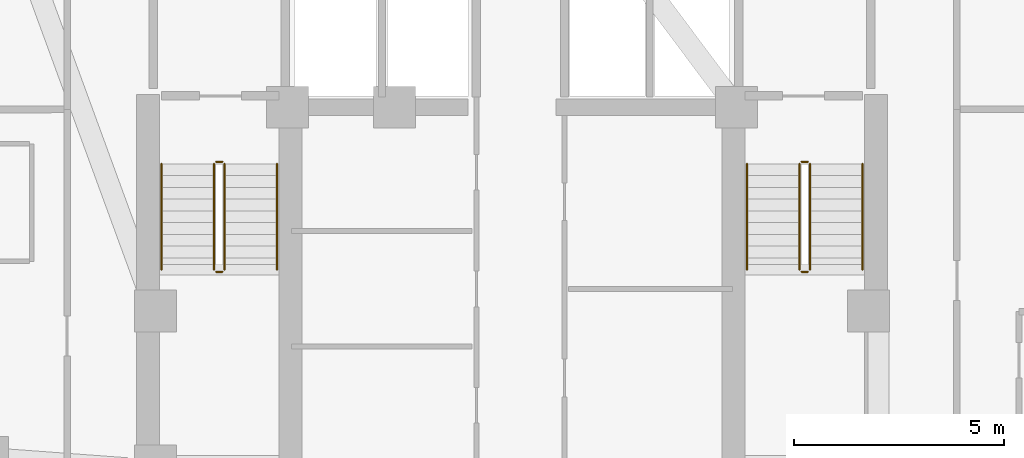
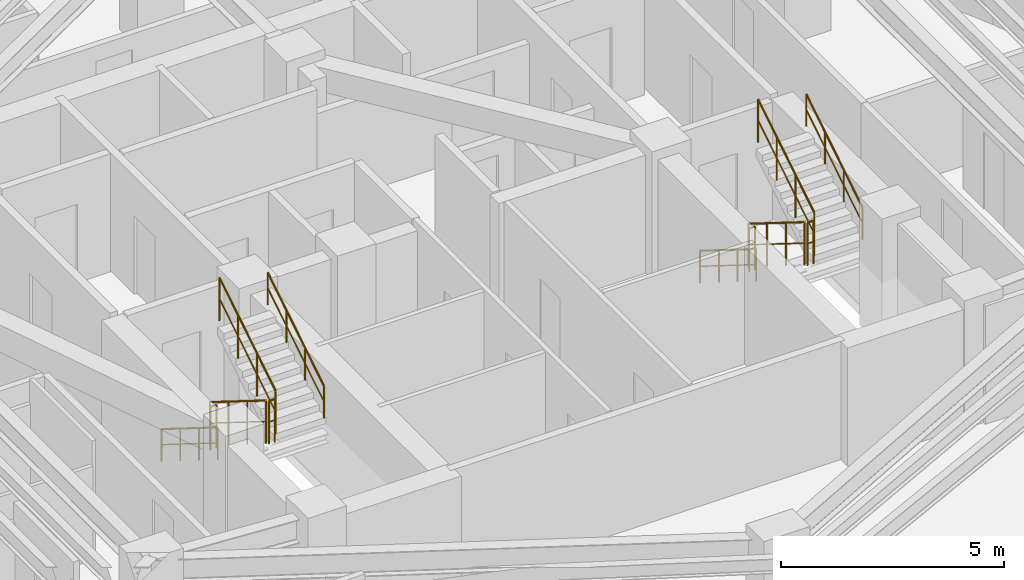
# One storey, part 9 of 9: 12 railings.
"""IFC4 building model written with IfcOpenShell, lengths in metres."""

from ifc_helpers import new_model, si_unit, direction, frame, origin, origin_2d, place, context, subcontext, project, spatial, circle, extrude, material, type_object, element, save


model = new_model("IFC4")

# Units and contexts
model_context = context("Model", 3, precision=1e-05, world=origin(), true_north=direction((0.0, 1.0)))
body_context = subcontext(model_context, "Body", "Model", "MODEL_VIEW")
ifc_project = project(units=[si_unit("LENGTHUNIT", "METRE"), si_unit("AREAUNIT", "SQUARE_METRE"), si_unit("VOLUMEUNIT", "CUBIC_METRE"), si_unit("PLANEANGLEUNIT", "RADIAN"), si_unit("MASSUNIT", "GRAM", prefix="KILO")], contexts=[model_context])

# Site, building, storey
site_placement = place(None, origin())
site = spatial("IfcSite", under=ifc_project, at=site_placement, CompositionType="ELEMENT")
building_placement = place(site_placement, origin())
building = spatial("IfcBuilding", under=site, at=building_placement, Name="Miruveldt Soraemaru", CompositionType="ELEMENT")
storey_placement = place(building_placement, frame((0.0, 0.0, 135.39990234375)))
storey = spatial("IfcBuildingStorey", under=building, at=storey_placement, Name="L37", CompositionType="ELEMENT", Elevation=135.39990234375)

# Railings
ifc_material = material(Name="Steel S355 (355 MPa)", Category="steel")
railing_type_1 = type_object("IfcRailingType", Name="RAIL-HR-900", PredefinedType="HANDRAIL", material=ifc_material)
railing_1_placement = place(storey_placement, frame((35.64990234375, 42.699951171875, 0.175048828125)))
element("IfcRailing", 1, at=railing_1_placement, inside=storey, type_object=railing_type_1, Name="L37 ST-1 stair handrail 1", PredefinedType="HANDRAIL", context=body_context, shape_type="SweptSolid", body=[
    extrude(circle(Radius=0.02392578125, at=origin_2d()), frame((0.0, 0.0, 0.8759765625), z_axis=(0.0, -0.848007534815, 0.529984170421), x_axis=(1.0, 0.0, 0.0)), (0.0, 0.0, 1.0), 2.9716796875),
    extrude(circle(Radius=0.01611328125, at=origin_2d()), frame((0.0, 0.0, 0.449951171875), z_axis=(0.0, -0.848007534815, 0.529984170421), x_axis=(1.0, 0.0, 0.0)), (0.0, 0.0, 1.0), 2.9716796875),
    extrude(circle(Radius=0.02099609375, at=origin_2d()), origin(), (0.0, 0.0, 1.0), 0.851806640625),
    extrude(circle(Radius=0.02099609375, at=origin_2d()), frame((0.0, -0.840087890625, 0.52490234375)), (0.0, 0.0, 1.0), 0.851806640625),
    extrude(circle(Radius=0.02099609375, at=origin_2d()), frame((0.0, -1.679931640625, 1.050048828125)), (0.0, 0.0, 1.0), 0.851806640625),
    extrude(circle(Radius=0.02099609375, at=origin_2d()), frame((0.0, -2.52001953125, 1.574951171875)), (0.0, 0.0, 1.0), 0.851806640625),
])
railing_2_placement = place(storey_placement, frame((38.39990234375, 40.179931640625, 1.925048828125)))
element("IfcRailing", 2, at=railing_2_placement, inside=storey, type_object=railing_type_1, Name="L37 ST-1 stair handrail 2", PredefinedType="HANDRAIL", context=body_context, shape_type="SweptSolid", body=[
    extrude(circle(Radius=0.02392578125, at=origin_2d()), frame((0.0, 0.0, 0.8759765625), z_axis=(0.0, 0.848007534815, 0.529984170421), x_axis=(-1.0, 0.0, 0.0)), (0.0, 0.0, 1.0), 2.9716796875),
    extrude(circle(Radius=0.01611328125, at=origin_2d()), frame((0.0, 0.0, 0.449951171875), z_axis=(0.0, 0.848007534815, 0.529984170421), x_axis=(-1.0, 0.0, 0.0)), (0.0, 0.0, 1.0), 2.9716796875),
    extrude(circle(Radius=0.02099609375, at=origin_2d()), origin(), (0.0, 0.0, 1.0), 0.851806640625),
    extrude(circle(Radius=0.02099609375, at=origin_2d()), frame((0.0, 0.840087890625, 0.52490234375)), (0.0, 0.0, 1.0), 0.851806640625),
    extrude(circle(Radius=0.02099609375, at=origin_2d()), frame((0.0, 1.679931640625, 1.050048828125)), (0.0, 0.0, 1.0), 0.851806640625),
    extrude(circle(Radius=0.02099609375, at=origin_2d()), frame((0.0, 2.52001953125, 1.574951171875)), (0.0, 0.0, 1.0), 0.851806640625),
])
railing_3_placement = place(storey_placement, frame((49.60009765625, 42.699951171875, 0.175048828125)))
element("IfcRailing", 3, at=railing_3_placement, inside=storey, type_object=railing_type_1, Name="L37 ST-2 stair handrail 1", PredefinedType="HANDRAIL", context=body_context, shape_type="SweptSolid", body=[
    extrude(circle(Radius=0.02392578125, at=origin_2d()), frame((0.0, 0.0, 0.8759765625), z_axis=(0.0, -0.848007534815, 0.529984170421), x_axis=(1.0, 0.0, 0.0)), (0.0, 0.0, 1.0), 2.9716796875),
    extrude(circle(Radius=0.01611328125, at=origin_2d()), frame((0.0, 0.0, 0.449951171875), z_axis=(0.0, -0.848007534815, 0.529984170421), x_axis=(1.0, 0.0, 0.0)), (0.0, 0.0, 1.0), 2.9716796875),
    extrude(circle(Radius=0.02099609375, at=origin_2d()), origin(), (0.0, 0.0, 1.0), 0.851806640625),
    extrude(circle(Radius=0.02099609375, at=origin_2d()), frame((0.0, -0.840087890625, 0.52490234375)), (0.0, 0.0, 1.0), 0.851806640625),
    extrude(circle(Radius=0.02099609375, at=origin_2d()), frame((0.0, -1.679931640625, 1.050048828125)), (0.0, 0.0, 1.0), 0.851806640625),
    extrude(circle(Radius=0.02099609375, at=origin_2d()), frame((0.0, -2.52001953125, 1.574951171875)), (0.0, 0.0, 1.0), 0.851806640625),
])
railing_4_placement = place(storey_placement, frame((52.35009765625, 40.179931640625, 1.925048828125)))
element("IfcRailing", 4, at=railing_4_placement, inside=storey, type_object=railing_type_1, Name="L37 ST-2 stair handrail 2", PredefinedType="HANDRAIL", context=body_context, shape_type="SweptSolid", body=[
    extrude(circle(Radius=0.02392578125, at=origin_2d()), frame((0.0, 0.0, 0.8759765625), z_axis=(0.0, 0.848007534815, 0.529984170421), x_axis=(-1.0, 0.0, 0.0)), (0.0, 0.0, 1.0), 2.9716796875),
    extrude(circle(Radius=0.01611328125, at=origin_2d()), frame((0.0, 0.0, 0.449951171875), z_axis=(0.0, 0.848007534815, 0.529984170421), x_axis=(-1.0, 0.0, 0.0)), (0.0, 0.0, 1.0), 2.9716796875),
    extrude(circle(Radius=0.02099609375, at=origin_2d()), origin(), (0.0, 0.0, 1.0), 0.851806640625),
    extrude(circle(Radius=0.02099609375, at=origin_2d()), frame((0.0, 0.840087890625, 0.52490234375)), (0.0, 0.0, 1.0), 0.851806640625),
    extrude(circle(Radius=0.02099609375, at=origin_2d()), frame((0.0, 1.679931640625, 1.050048828125)), (0.0, 0.0, 1.0), 0.851806640625),
    extrude(circle(Radius=0.02099609375, at=origin_2d()), frame((0.0, 2.52001953125, 1.574951171875)), (0.0, 0.0, 1.0), 0.851806640625),
])
railing_type_2 = type_object("IfcRailingType", Name="RAIL-STGUARD-1200", PredefinedType="GUARDRAIL", material=ifc_material)
railing_5_placement = place(storey_placement, frame((36.89990234375, 42.699951171875, 0.175048828125)))
element("IfcRailing", 5, at=railing_5_placement, inside=storey, type_object=railing_type_2, Name="L37 ST-1 stair guard 1", PredefinedType="GUARDRAIL", context=body_context, shape_type="SweptSolid", body=[
    extrude(circle(Radius=0.02392578125, at=origin_2d()), frame((0.0, 0.0, 1.17578125), z_axis=(0.0, -0.848007534815, 0.529984170421), x_axis=(1.0, 0.0, 0.0)), (0.0, 0.0, 1.0), 2.9716796875),
    extrude(circle(Radius=0.01611328125, at=origin_2d()), frame((0.0, 0.0, 0.60009765625), z_axis=(0.0, -0.848007534815, 0.529984170421), x_axis=(1.0, 0.0, 0.0)), (0.0, 0.0, 1.0), 2.9716796875),
    extrude(circle(Radius=0.02099609375, at=origin_2d()), origin(), (0.0, 0.0, 1.0), 1.15185546875),
    extrude(circle(Radius=0.02099609375, at=origin_2d()), frame((0.0, -0.840087890625, 0.52490234375)), (0.0, 0.0, 1.0), 1.15185546875),
    extrude(circle(Radius=0.02099609375, at=origin_2d()), frame((0.0, -1.679931640625, 1.050048828125)), (0.0, 0.0, 1.0), 1.15185546875),
    extrude(circle(Radius=0.02099609375, at=origin_2d()), frame((0.0, -2.52001953125, 1.574951171875)), (0.0, 0.0, 1.0), 1.15185546875),
])
railing_6_placement = place(storey_placement, frame((36.949951171875, 40.1298828125, 1.75)))
element("IfcRailing", 6, at=railing_6_placement, inside=storey, type_object=railing_type_2, Name="L37 ST-1 stair guard 2", PredefinedType="GUARDRAIL", context=body_context, shape_type="SweptSolid", body=[
    extrude(circle(Radius=0.02392578125, at=origin_2d()), frame((0.0, 0.0, 1.17578125), z_axis=(1.0, 0.0, 0.0), x_axis=(0.0, 1.0, 0.0)), (0.0, 0.0, 1.0), 0.150146484375),
    extrude(circle(Radius=0.01611328125, at=origin_2d()), frame((0.0, 0.0, 0.60009765625), z_axis=(1.0, 0.0, 0.0), x_axis=(0.0, 1.0, 0.0)), (0.0, 0.0, 1.0), 0.150146484375),
    extrude(circle(Radius=0.02099609375, at=origin_2d()), origin(), (0.0, 0.0, 1.0), 1.15185546875),
    extrude(circle(Radius=0.02099609375, at=origin_2d()), frame((0.150146484375, 0.0, 0.0)), (0.0, 0.0, 1.0), 1.15185546875),
])
railing_7_placement = place(storey_placement, frame((37.14990234375, 40.179931640625, 1.925048828125)))
element("IfcRailing", 7, at=railing_7_placement, inside=storey, type_object=railing_type_2, Name="L37 ST-1 stair guard 3", PredefinedType="GUARDRAIL", context=body_context, shape_type="SweptSolid", body=[
    extrude(circle(Radius=0.02392578125, at=origin_2d()), frame((0.0, 0.0, 1.17578125), z_axis=(0.0, 0.848007534815, 0.529984170421), x_axis=(-1.0, 0.0, 0.0)), (0.0, 0.0, 1.0), 2.9716796875),
    extrude(circle(Radius=0.01611328125, at=origin_2d()), frame((0.0, 0.0, 0.60009765625), z_axis=(0.0, 0.848007534815, 0.529984170421), x_axis=(-1.0, 0.0, 0.0)), (0.0, 0.0, 1.0), 2.9716796875),
    extrude(circle(Radius=0.02099609375, at=origin_2d()), origin(), (0.0, 0.0, 1.0), 1.15185546875),
    extrude(circle(Radius=0.02099609375, at=origin_2d()), frame((0.0, 0.840087890625, 0.52490234375)), (0.0, 0.0, 1.0), 1.15185546875),
    extrude(circle(Radius=0.02099609375, at=origin_2d()), frame((0.0, 1.679931640625, 1.050048828125)), (0.0, 0.0, 1.0), 1.15185546875),
    extrude(circle(Radius=0.02099609375, at=origin_2d()), frame((0.0, 2.52001953125, 1.574951171875)), (0.0, 0.0, 1.0), 1.15185546875),
])
railing_8_placement = place(storey_placement, frame((36.949951171875, 42.75, 0.0)))
element("IfcRailing", 8, at=railing_8_placement, inside=storey, type_object=railing_type_2, Name="L37 ST-1 stair guard 4", PredefinedType="GUARDRAIL", context=body_context, shape_type="SweptSolid", body=[
    extrude(circle(Radius=0.02392578125, at=origin_2d()), frame((0.0, 0.0, 1.17578125), z_axis=(1.0, 0.0, 0.0), x_axis=(0.0, 1.0, 0.0)), (0.0, 0.0, 1.0), 0.150146484375),
    extrude(circle(Radius=0.01611328125, at=origin_2d()), frame((0.0, 0.0, 0.60009765625), z_axis=(1.0, 0.0, 0.0), x_axis=(0.0, 1.0, 0.0)), (0.0, 0.0, 1.0), 0.150146484375),
    extrude(circle(Radius=0.02099609375, at=origin_2d()), origin(), (0.0, 0.0, 1.0), 1.15185546875),
    extrude(circle(Radius=0.02099609375, at=origin_2d()), frame((0.150146484375, 0.0, 0.0)), (0.0, 0.0, 1.0), 1.15185546875),
])
railing_9_placement = place(storey_placement, frame((50.85009765625, 42.699951171875, 0.175048828125)))
element("IfcRailing", 9, at=railing_9_placement, inside=storey, type_object=railing_type_2, Name="L37 ST-2 stair guard 1", PredefinedType="GUARDRAIL", context=body_context, shape_type="SweptSolid", body=[
    extrude(circle(Radius=0.02392578125, at=origin_2d()), frame((0.0, 0.0, 1.17578125), z_axis=(0.0, -0.848007534815, 0.529984170421), x_axis=(1.0, 0.0, 0.0)), (0.0, 0.0, 1.0), 2.9716796875),
    extrude(circle(Radius=0.01611328125, at=origin_2d()), frame((0.0, 0.0, 0.60009765625), z_axis=(0.0, -0.848007534815, 0.529984170421), x_axis=(1.0, 0.0, 0.0)), (0.0, 0.0, 1.0), 2.9716796875),
    extrude(circle(Radius=0.02099609375, at=origin_2d()), origin(), (0.0, 0.0, 1.0), 1.15185546875),
    extrude(circle(Radius=0.02099609375, at=origin_2d()), frame((0.0, -0.840087890625, 0.52490234375)), (0.0, 0.0, 1.0), 1.15185546875),
    extrude(circle(Radius=0.02099609375, at=origin_2d()), frame((0.0, -1.679931640625, 1.050048828125)), (0.0, 0.0, 1.0), 1.15185546875),
    extrude(circle(Radius=0.02099609375, at=origin_2d()), frame((0.0, -2.52001953125, 1.574951171875)), (0.0, 0.0, 1.0), 1.15185546875),
])
railing_10_placement = place(storey_placement, frame((50.89990234375, 40.1298828125, 1.75)))
element("IfcRailing", 10, at=railing_10_placement, inside=storey, type_object=railing_type_2, Name="L37 ST-2 stair guard 2", PredefinedType="GUARDRAIL", context=body_context, shape_type="SweptSolid", body=[
    extrude(circle(Radius=0.02392578125, at=origin_2d()), frame((0.0, 0.0, 1.17578125), z_axis=(1.0, 0.0, 0.0), x_axis=(0.0, 1.0, 0.0)), (0.0, 0.0, 1.0), 0.150146484375),
    extrude(circle(Radius=0.01611328125, at=origin_2d()), frame((0.0, 0.0, 0.60009765625), z_axis=(1.0, 0.0, 0.0), x_axis=(0.0, 1.0, 0.0)), (0.0, 0.0, 1.0), 0.150146484375),
    extrude(circle(Radius=0.02099609375, at=origin_2d()), origin(), (0.0, 0.0, 1.0), 1.15185546875),
    extrude(circle(Radius=0.02099609375, at=origin_2d()), frame((0.150146484375, 0.0, 0.0)), (0.0, 0.0, 1.0), 1.15185546875),
])
railing_11_placement = place(storey_placement, frame((51.10009765625, 40.179931640625, 1.925048828125)))
element("IfcRailing", 11, at=railing_11_placement, inside=storey, type_object=railing_type_2, Name="L37 ST-2 stair guard 3", PredefinedType="GUARDRAIL", context=body_context, shape_type="SweptSolid", body=[
    extrude(circle(Radius=0.02392578125, at=origin_2d()), frame((0.0, 0.0, 1.17578125), z_axis=(0.0, 0.848007534815, 0.529984170421), x_axis=(-1.0, 0.0, 0.0)), (0.0, 0.0, 1.0), 2.9716796875),
    extrude(circle(Radius=0.01611328125, at=origin_2d()), frame((0.0, 0.0, 0.60009765625), z_axis=(0.0, 0.848007534815, 0.529984170421), x_axis=(-1.0, 0.0, 0.0)), (0.0, 0.0, 1.0), 2.9716796875),
    extrude(circle(Radius=0.02099609375, at=origin_2d()), origin(), (0.0, 0.0, 1.0), 1.15185546875),
    extrude(circle(Radius=0.02099609375, at=origin_2d()), frame((0.0, 0.840087890625, 0.52490234375)), (0.0, 0.0, 1.0), 1.15185546875),
    extrude(circle(Radius=0.02099609375, at=origin_2d()), frame((0.0, 1.679931640625, 1.050048828125)), (0.0, 0.0, 1.0), 1.15185546875),
    extrude(circle(Radius=0.02099609375, at=origin_2d()), frame((0.0, 2.52001953125, 1.574951171875)), (0.0, 0.0, 1.0), 1.15185546875),
])
railing_12_placement = place(storey_placement, frame((50.89990234375, 42.75, 0.0)))
element("IfcRailing", 12, at=railing_12_placement, inside=storey, type_object=railing_type_2, Name="L37 ST-2 stair guard 4", PredefinedType="GUARDRAIL", context=body_context, shape_type="SweptSolid", body=[
    extrude(circle(Radius=0.02392578125, at=origin_2d()), frame((0.0, 0.0, 1.17578125), z_axis=(1.0, 0.0, 0.0), x_axis=(0.0, 1.0, 0.0)), (0.0, 0.0, 1.0), 0.150146484375),
    extrude(circle(Radius=0.01611328125, at=origin_2d()), frame((0.0, 0.0, 0.60009765625), z_axis=(1.0, 0.0, 0.0), x_axis=(0.0, 1.0, 0.0)), (0.0, 0.0, 1.0), 0.150146484375),
    extrude(circle(Radius=0.02099609375, at=origin_2d()), origin(), (0.0, 0.0, 1.0), 1.15185546875),
    extrude(circle(Radius=0.02099609375, at=origin_2d()), frame((0.150146484375, 0.0, 0.0)), (0.0, 0.0, 1.0), 1.15185546875),
])

save(model, "model.ifc")
